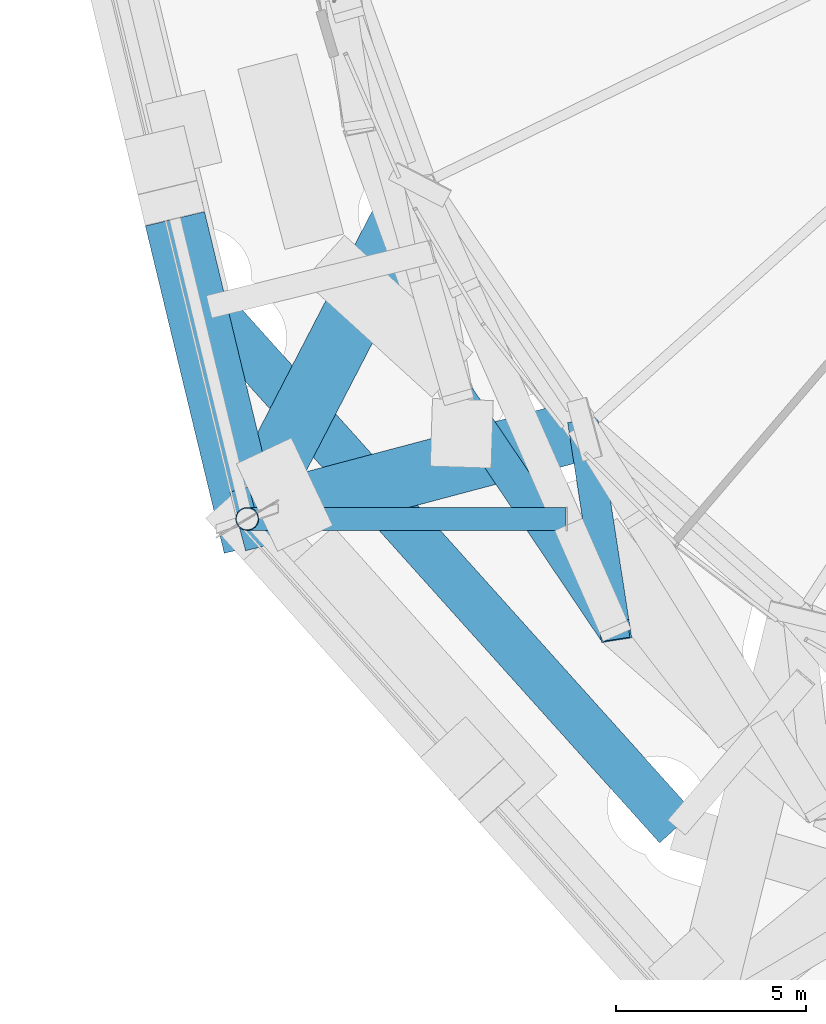
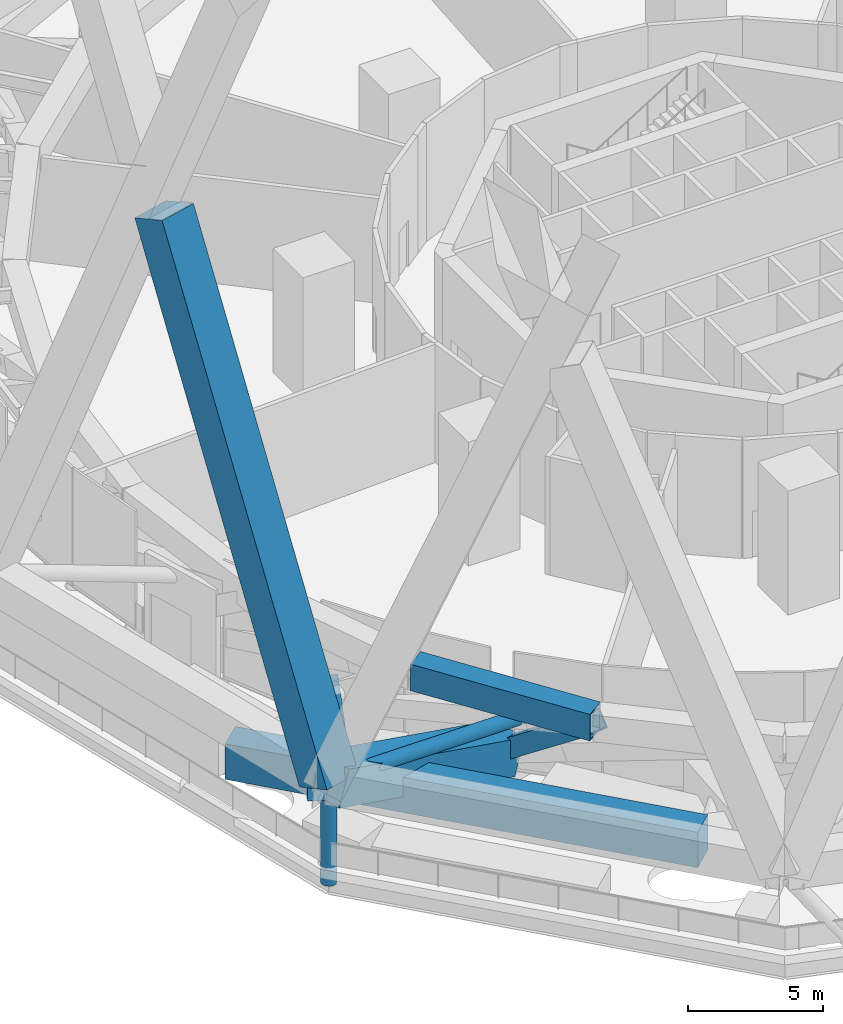
# One storey, part 3 of 65: 6 members, 2 beams.
"""IFC4 building model written with IfcOpenShell, lengths in metres."""

from ifc_helpers import new_model, si_unit, direction, frame, origin, origin_2d, place, context, subcontext, project, spatial, rectangle, hollow_rectangle, hollow_circle, extrude, material, material_profile, profile_set, type_object, element, save


model = new_model("IFC4")

# Units and contexts
model_context = context("Model", 3, precision=1e-05, world=origin(), true_north=direction((0.0, 1.0)))
body_context = subcontext(model_context, "Body", "Model", "MODEL_VIEW")
ifc_project = project(units=[si_unit("LENGTHUNIT", "METRE"), si_unit("AREAUNIT", "SQUARE_METRE"), si_unit("VOLUMEUNIT", "CUBIC_METRE"), si_unit("PLANEANGLEUNIT", "RADIAN"), si_unit("MASSUNIT", "GRAM", prefix="KILO")], contexts=[model_context])

# Site, building, storey
site_placement = place(None, origin())
site = spatial("IfcSite", under=ifc_project, at=site_placement, CompositionType="ELEMENT")
building_placement = place(site_placement, origin())
building = spatial("IfcBuilding", under=site, at=building_placement, Name="Nagisa Residences", CompositionType="ELEMENT")
storey_placement = place(building_placement, frame((0.0, 0.0, 114.0)))
storey = spatial("IfcBuildingStorey", under=building, at=storey_placement, Name="L28", CompositionType="ELEMENT", Elevation=114.0)

# Beams
ifc_material_1 = material(Name="Steel ASTM A572 Gr 50", Category="steel")
ifc_material_profile_1 = material_profile(ifc_material_1, hollow_rectangle(XDim=0.89990234375, YDim=1.199951171875, WallThickness=0.050048828125, at=origin_2d()), Name="BX 900x1200x50")
ifc_profile_set_1 = profile_set([ifc_material_profile_1], Name="Steel ASTM A572 Gr 50")
beam_type_1 = type_object("IfcBeamType", Name="Belt chord 2 BX 900x1200x50", PredefinedType="BEAM", material=ifc_profile_set_1)
beam_1_placement = place(storey_placement, frame((-24.346923828125, -17.965087890625, 4.739990234375), z_axis=(0.558184113249, -0.829717117888, 0.0), x_axis=(0.829717117888, 0.558184113249, 0.0)))
element("IfcBeam", 1, at=beam_1_placement, inside=storey, type_object=beam_type_1, Name="beam:L28:bt2t15", PredefinedType="BEAM", context=body_context, shape_type="SweptSolid", body=[
    extrude(hollow_rectangle(XDim=0.89990234375, YDim=1.199951171875, WallThickness=0.050048828125, at=origin_2d()), origin(), (0.0, 0.0, 1.0), 7.412353515625),
])
ifc_material_2 = material(Name="Steel ASTM A572 Gr 50", Category="steel")
ifc_material_profile_2 = material_profile(ifc_material_2, hollow_rectangle(XDim=0.800048828125, YDim=0.800048828125, WallThickness=0.044921875, at=origin_2d()), Name="BX 800x800x45")
ifc_profile_set_2 = profile_set([ifc_material_profile_2], Name="Steel ASTM A572 Gr 50")
beam_type_2 = type_object("IfcBeamType", Name="Belt diagonal 2 BX 800x800x45", PredefinedType="BEAM", material=ifc_profile_set_2)
beam_2_placement = place(storey_placement, frame((-21.02978515625, -18.813232421875, 0.60009765625), z_axis=(0.121050036047, -0.782393938344, 0.610906387277), x_axis=(0.988241925333, 0.152898322472, 0.0)))
element("IfcBeam", 2, at=beam_2_placement, inside=storey, type_object=beam_type_2, Name="beam:L28:bt2da16", PredefinedType="BEAM", context=body_context, shape_type="SweptSolid", body=[
    extrude(hollow_rectangle(XDim=0.800048828125, YDim=0.800048828125, WallThickness=0.044921875, at=origin_2d()), origin(), (0.0, 0.0, 1.0), 6.776611328125),
])

# Members
ifc_material_3 = material(Name="Concrete C80", Category="concrete")
ifc_material_profile_3 = material_profile(ifc_material_3, rectangle(XDim=1.60009765625, YDim=1.60009765625, at=origin_2d()), Name="C80 1600x1600")
ifc_profile_set_3 = profile_set([ifc_material_profile_3], Name="Concrete C80")
member_type_1 = type_object("IfcMemberType", Name="Cage bracket 3 C80 1600x1600", PredefinedType="BRACE", material=ifc_profile_set_3)
member_1_placement = place(storey_placement, frame((-29.8896484375, -21.165283203125, 3.699951171875), z_axis=(0.915587806233, 0.243063458949, -0.320342198284), x_axis=(-0.256585002954, 0.966521668799, 0.0)))
element("IfcMember", 3, at=member_1_placement, inside=storey, type_object=member_type_1, Name="mem:L28:cg2ob01", PredefinedType="BRACE", context=body_context, shape_type="SweptSolid", body=[
    extrude(rectangle(XDim=1.60009765625, YDim=1.60009765625, at=origin_2d()), origin(), (0.0, 0.0, 1.0), 9.6767578125),
])
member_2_placement = place(storey_placement, frame((-29.8896484375, -21.165283203125, 3.699951171875), z_axis=(0.438281818309, 0.847514615737, -0.299379397841), x_axis=(-0.888255195309, 0.459350310772, 0.0)))
element("IfcMember", 4, at=member_2_placement, inside=storey, type_object=member_type_1, Name="mem:L28:cg2ob02", PredefinedType="BRACE", context=body_context, shape_type="SweptSolid", body=[
    extrude(rectangle(XDim=1.60009765625, YDim=1.60009765625, at=origin_2d()), origin(), (0.0, 0.0, 1.0), 10.354248046875),
])
ifc_material_4 = material(Name="Concrete C80", Category="concrete")
ifc_material_profile_4 = material_profile(ifc_material_4, rectangle(XDim=1.60009765625, YDim=1.60009765625, at=origin_2d()), Name="C80 1600x1600")
ifc_profile_set_4 = profile_set([ifc_material_profile_4], Name="Concrete C80")
member_type_2 = type_object("IfcMemberType", Name="Cage diagonal 3 C80 1600x1600", PredefinedType="BRACE", material=ifc_profile_set_4)
member_3_placement = place(storey_placement, frame((-29.8896484375, -21.165283203125, 3.699951171875), z_axis=(-0.090120264696, 0.374299994674, 0.922918117645), x_axis=(-0.972217131243, -0.234080861492, 0.0)))
element("IfcMember", 5, at=member_3_placement, inside=storey, type_object=member_type_2, Name="mem:L28:cg3d014a", PredefinedType="BRACE", context=body_context, shape_type="SweptSolid", body=[
    extrude(rectangle(XDim=1.60009765625, YDim=1.60009765625, at=origin_2d()), origin(), (0.0, 0.0, 1.0), 23.002685546875),
])
ifc_material_5 = material(Name="Concrete C80", Category="concrete")
ifc_material_profile_5 = material_profile(ifc_material_5, rectangle(XDim=1.199951171875, YDim=1.60009765625, at=origin_2d()), Name="C80 1200x1600")
ifc_profile_set_5 = profile_set([ifc_material_profile_5], Name="Concrete C80")
member_type_3 = type_object("IfcMemberType", Name="Cage ring 2 C80 1200x1600", PredefinedType="CHORD", material=ifc_profile_set_5)
member_4_placement = place(storey_placement, frame((-30.89404296875, -15.58984375, 1.89990234375), z_axis=(0.668102443775, -0.744069300954, 0.0), x_axis=(0.744069300954, 0.668102443775, 0.0)))
element("IfcMember", 6, at=member_4_placement, inside=storey, type_object=member_type_3, Name="beam:L28:cg2r108", PredefinedType="CHORD", context=body_context, shape_type="SweptSolid", body=[
    extrude(rectangle(XDim=1.199951171875, YDim=1.60009765625, at=origin_2d()), origin(), (0.0, 0.0, 1.0), 18.4052734375),
])
ifc_material_6 = material(Name="Steel ASTM A572 Gr 65", Category="steel")
ifc_material_profile_6 = material_profile(ifc_material_6, hollow_circle(Radius=0.304931640625, WallThickness=0.02490234375, at=origin_2d()), Name="CHS 610x25")
ifc_profile_set_6 = profile_set([ifc_material_profile_6], Name="Steel ASTM A572 Gr 65")
member_type_4 = type_object("IfcMemberType", Name="Cage strut CHS 610x25", PredefinedType="STRUT", material=ifc_profile_set_6)
member_5_placement = place(storey_placement, frame((-29.8896484375, -21.165283203125, 3.699951171875), z_axis=(0.999999862775, -0.000523880134, 0.0), x_axis=(0.000523880134, 0.999999862775, 0.0)))
element("IfcMember", 7, at=member_5_placement, inside=storey, type_object=member_type_4, Name="mem:L28:bt2st3b08", PredefinedType="STRUT", context=body_context, shape_type="SweptSolid", body=[
    extrude(hollow_circle(Radius=0.304931640625, WallThickness=0.02490234375, at=origin_2d()), origin(), (0.0, 0.0, 1.0), 8.388427734375),
])
ifc_material_7 = material(Name="Steel ASTM A572 Gr 65", Category="steel")
ifc_material_profile_7 = material_profile(ifc_material_7, hollow_circle(Radius=0.304931640625, WallThickness=0.02490234375, at=origin_2d()), Name="CHS 610x25")
ifc_profile_set_7 = profile_set([ifc_material_profile_7], Name="Steel ASTM A572 Gr 65")
member_type_5 = type_object("IfcMemberType", Name="Deck hanger CHS 610x25", PredefinedType="POST", material=ifc_profile_set_7)
member_6_placement = place(storey_placement, frame((-29.8896484375, -21.165283203125, 2.949951171875), z_axis=(0.0, 0.0, -1.0), x_axis=(1.0, 0.0, 0.0)))
element("IfcMember", 8, at=member_6_placement, inside=storey, type_object=member_type_5, Name="mem:L28:deckhanger05", PredefinedType="POST", context=body_context, shape_type="SweptSolid", body=[
    extrude(hollow_circle(Radius=0.304931640625, WallThickness=0.02490234375, at=origin_2d()), origin(), (0.0, 0.0, 1.0), 3.83984375),
])

save(model, "model.ifc")
